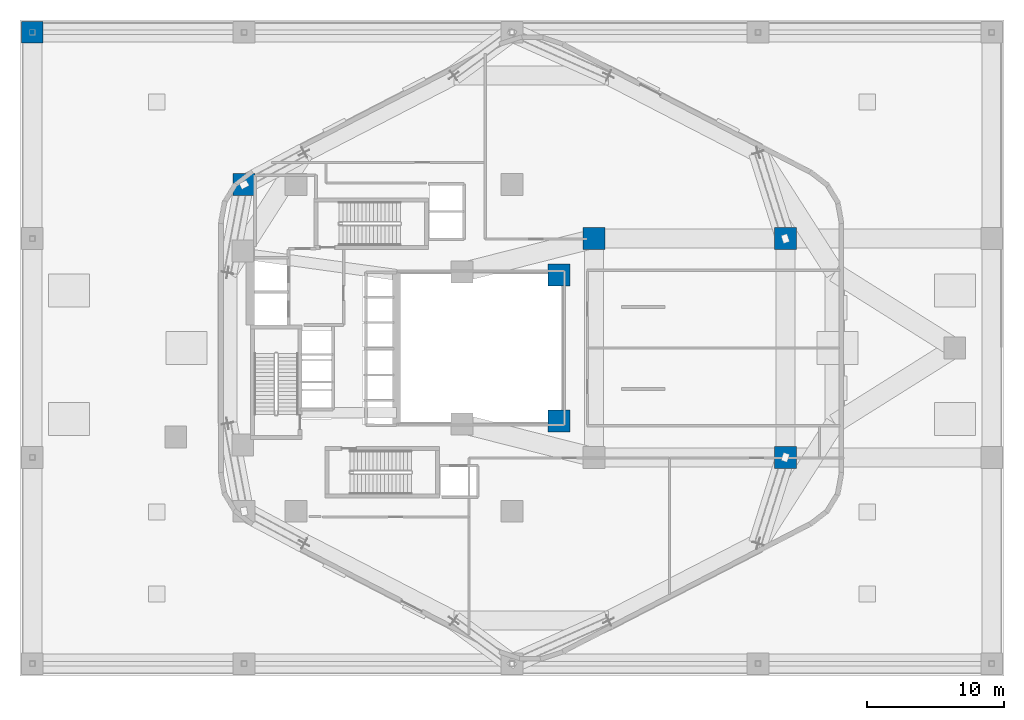
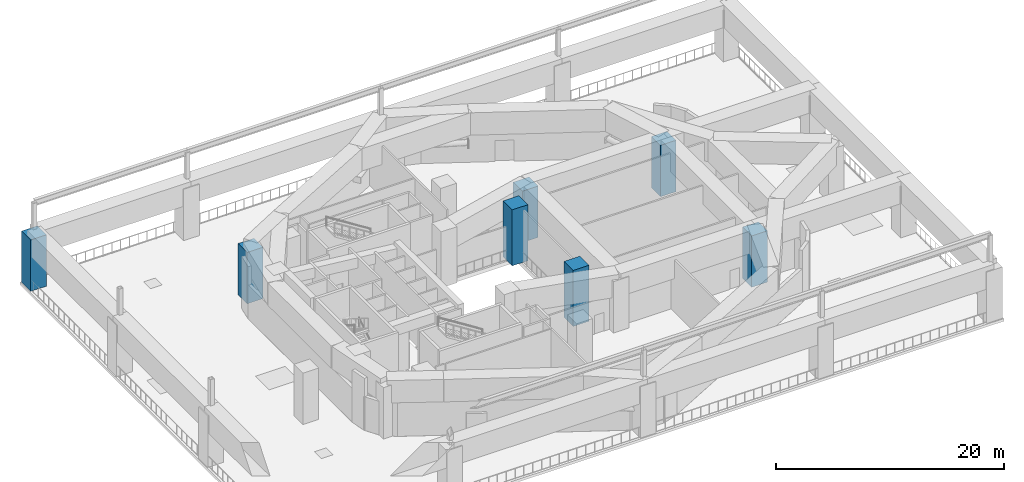
# One storey, part 2 of 15: 7 columns.
"""IFC4 building model written with IfcOpenShell, lengths in metres."""

from ifc_helpers import new_model, si_unit, direction, frame, origin, origin_2d, place, context, subcontext, project, spatial, rectangle, extrude, material, material_profile, profile_set, type_object, element, save


model = new_model("IFC4")

# Units and contexts
model_context = context("Model", 3, precision=1e-05, world=origin(), true_north=direction((0.0, 1.0)))
body_context = subcontext(model_context, "Body", "Model", "MODEL_VIEW")
ifc_project = project(units=[si_unit("LENGTHUNIT", "METRE"), si_unit("AREAUNIT", "SQUARE_METRE"), si_unit("VOLUMEUNIT", "CUBIC_METRE"), si_unit("PLANEANGLEUNIT", "RADIAN"), si_unit("MASSUNIT", "GRAM", prefix="KILO"), si_unit("THERMODYNAMICTEMPERATUREUNIT", "KELVIN"), si_unit("POWERUNIT", "WATT")], contexts=[model_context])

# Site, building, storey
site_placement = place(None, origin())
site = spatial("IfcSite", under=ifc_project, at=site_placement, CompositionType="ELEMENT")
building_placement = place(site_placement, origin())
building = spatial("IfcBuilding", under=site, at=building_placement, Name="Skarre Station Tower", CompositionType="ELEMENT")
storey_placement = place(building_placement, frame((0.0, 0.0, 21.0)))
storey = spatial("IfcBuildingStorey", under=building, at=storey_placement, Name="L05", CompositionType="ELEMENT", Elevation=21.0)

# Columns
ifc_material = material(Name="Concrete C70/85", Category="concrete")
ifc_material_profile = material_profile(ifc_material, rectangle(XDim=1.60009765625, YDim=1.60009765625, at=origin_2d()), Name="Concrete C70/85")
ifc_profile_set = profile_set([ifc_material_profile], Name="Concrete C70/85")
column_type = type_object("IfcColumnType", Name="RC Structural Column RC-COL-1600X1600", PredefinedType="COLUMN", material=ifc_profile_set)
for number, where, z_axis, x_axis, name in (
    (1, (0.89990234375, 47.10009765625, 0.0), (0.0, 0.0, 1.0), (1.0, 0.0, 0.0), "L05 Station Concourse Mega-Column PM03"),
    (2, (42.0, 32.0, 0.0), (0.0, 0.0, 1.0), (1.0, 0.0, 0.0), "L05 Station Concourse Mega-Column PM16"),
    (3, (56.0, 16.0, 0.0), (0.0, 0.0, 1.0), (1.0, 0.0, 0.0), "L05 Station Concourse Mega-Column PM17"),
    (4, (56.0, 32.0, 0.0), (0.0, 0.0, 1.0), (1.0, 0.0, 0.0), "L05 Station Concourse Mega-Column PM18"),
    (5, (16.39990234375, 35.949951171875, 0.0), (0.0, 0.0, 1.0), (1.0, 0.0, 0.0), "L05 Station Concourse Mega-Column PM25"),
):
    element("IfcColumn", number, at=place(storey_placement, frame(where, z_axis=z_axis, x_axis=x_axis)), inside=storey, type_object=column_type, Name=name, PredefinedType="COLUMN", context=body_context, shape_type="SweptSolid", body=[
        extrude(rectangle(XDim=1.60009765625, YDim=1.60009765625, at=origin_2d()), origin(), (0.0, 0.0, 1.0), 5.5),
    ])
for number, where, z_axis, x_axis, name in (
    (6, (39.449951171875, 18.64990234375, 0.0), (0.0, 0.0, 1.0), (1.0, 0.0, 0.0), "L05 Station Concourse Mega-Column PM27"),
    (7, (39.449951171875, 29.35009765625, 0.0), (0.0, 0.0, 1.0), (1.0, 0.0, 0.0), "L05 Station Concourse Mega-Column PM28"),
):
    element("IfcColumn", number, at=place(storey_placement, frame(where, z_axis=z_axis, x_axis=x_axis)), inside=storey, type_object=column_type, Name=name, PredefinedType="COLUMN", context=body_context, shape_type="SweptSolid", body=[
        extrude(rectangle(XDim=1.60009765625, YDim=1.60009765625, at=origin_2d()), origin(), (0.0, 0.0, 1.0), 6.0),
    ])

save(model, "model.ifc")
